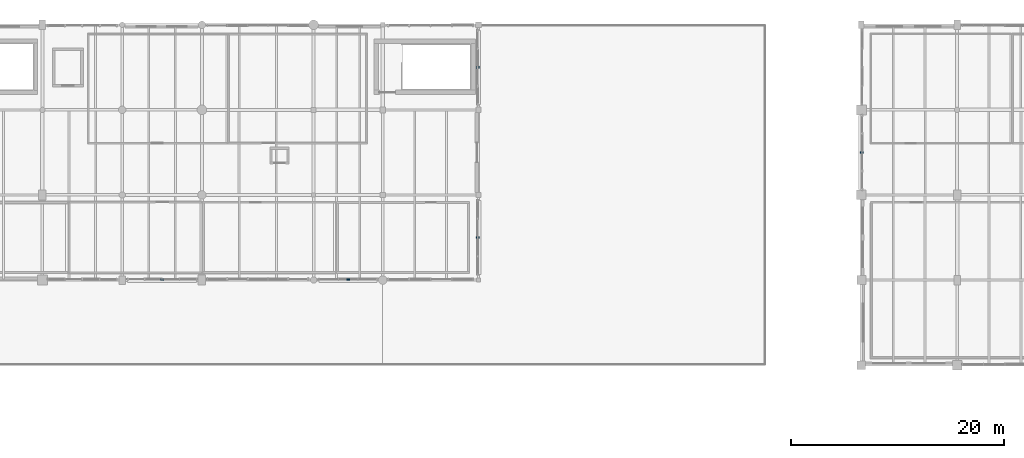
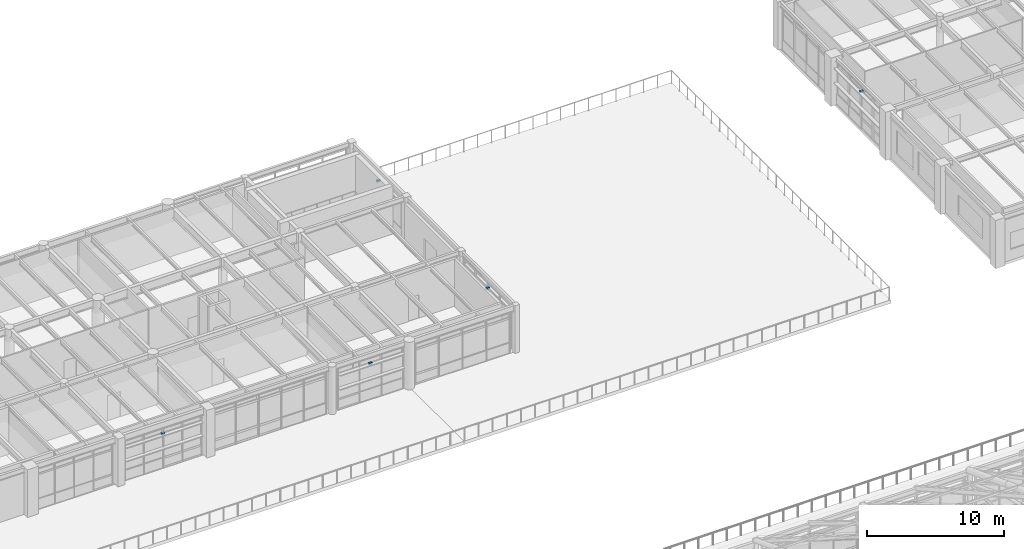
# One storey, part 160 of 168: 5 discrete accessories.
"""IFC4 building model written with IfcOpenShell, lengths in metres."""

from ifc_helpers import new_model, si_unit, direction, frame, origin, origin_2d, place, context, subcontext, project, spatial, rectangle, extrude, material, type_object, element, save


model = new_model("IFC4")

# Units and contexts
model_context = context("Model", 3, precision=1e-05, world=origin(), true_north=direction((0.0, 1.0)))
body_context = subcontext(model_context, "Body", "Model", "MODEL_VIEW")
ifc_project = project(units=[si_unit("LENGTHUNIT", "METRE"), si_unit("AREAUNIT", "SQUARE_METRE"), si_unit("VOLUMEUNIT", "CUBIC_METRE"), si_unit("PLANEANGLEUNIT", "RADIAN"), si_unit("MASSUNIT", "GRAM", prefix="KILO"), si_unit("THERMODYNAMICTEMPERATUREUNIT", "KELVIN"), si_unit("POWERUNIT", "WATT")], contexts=[model_context])

# Site, building, storey
site_placement = place(None, origin())
site = spatial("IfcSite", under=ifc_project, at=site_placement, CompositionType="ELEMENT")
building_placement = place(site_placement, origin())
building = spatial("IfcBuilding", under=site, at=building_placement, Name="Tepalcoro Natatorium and Aquatics Centre", CompositionType="ELEMENT")
storey_placement = place(building_placement, frame((0.0, 0.0, 10.199951171875)))
storey = spatial("IfcBuildingStorey", under=building, at=storey_placement, Name="L02", CompositionType="ELEMENT", Elevation=10.199951171875)

# Discrete accessories
ifc_material_1 = material(Name="Plate Steel ASTM A572 Grade 50 (Fy 345 MPa)", Category="steel")
discrete_accessory_type_1 = type_object("IfcDiscreteAccessoryType", Name="BRK_FACADE_GALV", PredefinedType="BRACKET", material=ifc_material_1)
for number, where, z_axis, x_axis, name in (
    (1, (32.25, 94.05615234375, 2.97802734375), (0.0, 0.0, 1.0), (1.0, 0.0, 0.0), "Solar Shading Outrigger Bracket BRK_FACADE_GALV"),
    (2, (49.75, 94.05615234375, 3.1298828125), (0.0, 0.0, 1.0), (1.0, 0.0, 0.0), "Solar Shading Outrigger Bracket BRK_FACADE_GALV"),
    (3, (61.94384765625, 98.0, 3.17724609375), (0.0, 0.0, 1.0), (1.0, 0.0, 0.0), "Solar Shading Outrigger Bracket BRK_FACADE_GALV"),
    (4, (98.05615234375, 106.0, 3.22705078125), (0.0, 0.0, 1.0), (1.0, 0.0, 0.0), "Solar Shading Outrigger Bracket BRK_FACADE_GALV"),
):
    element("IfcDiscreteAccessory", number, at=place(storey_placement, frame(where, z_axis=z_axis, x_axis=x_axis)), inside=storey, type_object=discrete_accessory_type_1, Name=name, PredefinedType="BRACKET", context=body_context, shape_type="SweptSolid", body=[
        extrude(rectangle(XDim=0.280029296875, YDim=0.159912109375, at=origin_2d()), origin(), (0.0, 0.0, 1.0), 0.159912109375),
    ])
ifc_material_2 = material(Name="Marine-Grade Brushed Stainless Steel AISI 316L", Category="steel")
discrete_accessory_type_2 = type_object("IfcDiscreteAccessoryType", Name="BRK_SEISMIC_SS", PredefinedType="BRACKET", material=ifc_material_2)
discrete_accessory_placement = place(storey_placement, frame((61.94384765625, 114.0, 3.05419921875), z_axis=(0.0, 0.0, 1.0), x_axis=(1.0, 0.0, 0.0)))
element("IfcDiscreteAccessory", 5, at=discrete_accessory_placement, inside=storey, type_object=discrete_accessory_type_2, Name="Solar Shading Outrigger Bracket BRK_SEISMIC_SS", PredefinedType="BRACKET", context=body_context, shape_type="SweptSolid", body=[
    extrude(rectangle(XDim=0.280029296875, YDim=0.159912109375, at=origin_2d()), origin(), (0.0, 0.0, 1.0), 0.159912109375),
])

save(model, "model.ifc")
